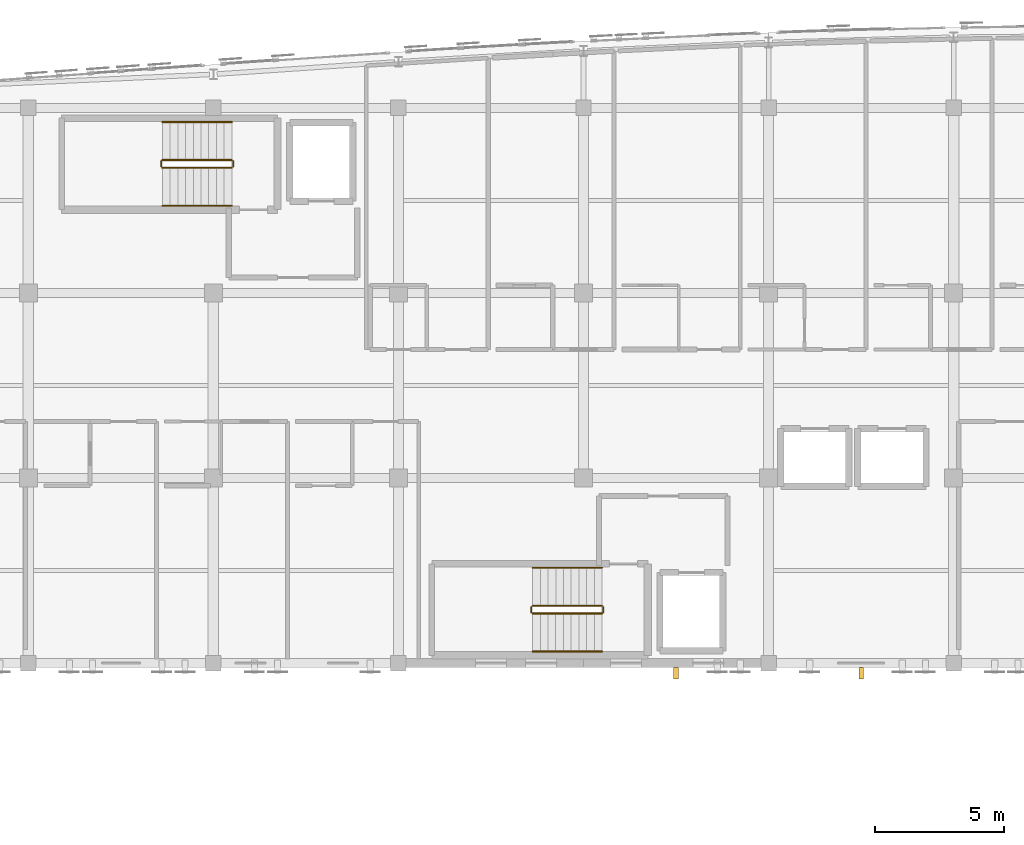
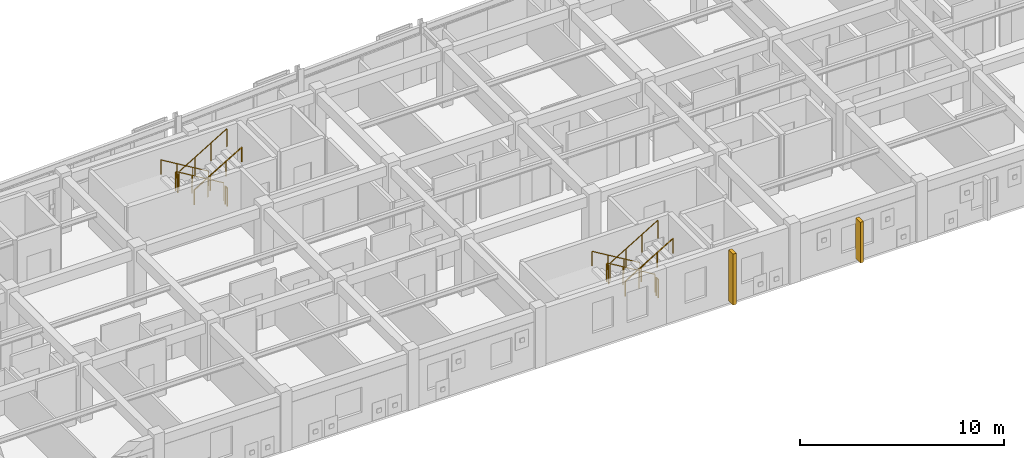
# One storey, part 70 of 73: 12 railings, 2 shading devices.
"""IFC4 building model written with IfcOpenShell, lengths in metres."""

from ifc_helpers import new_model, si_unit, direction, frame, origin, origin_2d, place, context, subcontext, project, spatial, rectangle, circle, extrude, material, layer, layer_set, type_object, element, save


model = new_model("IFC4")

# Units and contexts
model_context = context("Model", 3, precision=1e-05, world=origin(), true_north=direction((0.0, 1.0)))
body_context = subcontext(model_context, "Body", "Model", "MODEL_VIEW")
ifc_project = project(units=[si_unit("LENGTHUNIT", "METRE"), si_unit("AREAUNIT", "SQUARE_METRE"), si_unit("VOLUMEUNIT", "CUBIC_METRE"), si_unit("PLANEANGLEUNIT", "RADIAN"), si_unit("MASSUNIT", "GRAM", prefix="KILO")], contexts=[model_context])

# Site, building, storey
site_placement = place(None, origin())
site = spatial("IfcSite", under=ifc_project, at=site_placement, CompositionType="ELEMENT")
building_placement = place(site_placement, origin())
building = spatial("IfcBuilding", under=site, at=building_placement, Name="Carrowvane Square Congress Hotel", CompositionType="ELEMENT")
storey_placement = place(building_placement, frame((0.0, 0.0, 19.199951171875)))
storey = spatial("IfcBuildingStorey", under=building, at=storey_placement, Name="L04", CompositionType="ELEMENT", Elevation=19.199951171875)

# Railings
ifc_material_1 = material(Name="Stainless steel 316", Category="steel")
ifc_layer_1 = layer(ifc_material_1, 0.048095703125)
ifc_layer_set_1 = layer_set([ifc_layer_1], Name="Stainless steel 316")
railing_type_1 = type_object("IfcRailingType", Name="RLG-HR-900", PredefinedType="HANDRAIL", material=ifc_layer_set_1)
railing_1_placement = place(storey_placement, frame((62.719970703125, 112.85009765625, 0.179931640625)))
element("IfcRailing", 1, at=railing_1_placement, inside=storey, type_object=railing_type_1, Name="L04 ST1 stair handrail 1", PredefinedType="HANDRAIL", context=body_context, shape_type="SweptSolid", body=[
    extrude(circle(Radius=0.02392578125, at=origin_2d()), frame((0.0, 0.0, 0.8759765625), z_axis=(-0.857472400752, 0.0, 0.514529962148), x_axis=(0.0, -1.0, 0.0)), (0.0, 0.0, 1.0), 3.148681640625),
    extrude(circle(Radius=0.02099609375, at=origin_2d()), origin(), (0.0, 0.0, 1.0), 0.851806640625),
    extrude(circle(Radius=0.02099609375, at=origin_2d()), frame((-0.89990234375, 0.0, 0.5400390625)), (0.0, 0.0, 1.0), 0.851806640625),
    extrude(circle(Radius=0.02099609375, at=origin_2d()), frame((-1.800048828125, 0.0, 1.080078125)), (0.0, 0.0, 1.0), 0.851806640625),
    extrude(circle(Radius=0.02099609375, at=origin_2d()), frame((-2.699951171875, 0.0, 1.6201171875)), (0.0, 0.0, 1.0), 0.851806640625),
])
railing_2_placement = place(storey_placement, frame((60.02001953125, 109.590087890625, 1.97998046875)))
element("IfcRailing", 2, at=railing_2_placement, inside=storey, type_object=railing_type_1, Name="L04 ST1 stair handrail 2", PredefinedType="HANDRAIL", context=body_context, shape_type="SweptSolid", body=[
    extrude(circle(Radius=0.02392578125, at=origin_2d()), frame((0.0, 0.0, 0.8759765625), z_axis=(0.857472400752, 0.0, 0.514529962148), x_axis=(0.0, 1.0, 0.0)), (0.0, 0.0, 1.0), 3.148681640625),
    extrude(circle(Radius=0.02099609375, at=origin_2d()), origin(), (0.0, 0.0, 1.0), 0.851806640625),
    extrude(circle(Radius=0.02099609375, at=origin_2d()), frame((0.89990234375, 0.0, 0.5400390625)), (0.0, 0.0, 1.0), 0.851806640625),
    extrude(circle(Radius=0.02099609375, at=origin_2d()), frame((1.800048828125, 0.0, 1.080078125)), (0.0, 0.0, 1.0), 0.851806640625),
    extrude(circle(Radius=0.02099609375, at=origin_2d()), frame((2.699951171875, 0.0, 1.6201171875)), (0.0, 0.0, 1.0), 0.851806640625),
])
railing_3_placement = place(storey_placement, frame((77.1201171875, 95.510009765625, 0.179931640625)))
element("IfcRailing", 3, at=railing_3_placement, inside=storey, type_object=railing_type_1, Name="L04 ST2 stair handrail 1", PredefinedType="HANDRAIL", context=body_context, shape_type="SweptSolid", body=[
    extrude(circle(Radius=0.02392578125, at=origin_2d()), frame((0.0, 0.0, 0.8759765625), z_axis=(-0.857492925713, 0.0, 0.514495755428), x_axis=(0.0, -1.0, 0.0)), (0.0, 0.0, 1.0), 3.14892578125),
    extrude(circle(Radius=0.02099609375, at=origin_2d()), origin(), (0.0, 0.0, 1.0), 0.851806640625),
    extrude(circle(Radius=0.02099609375, at=origin_2d()), frame((-0.900146484375, 0.0, 0.5400390625)), (0.0, 0.0, 1.0), 0.851806640625),
    extrude(circle(Radius=0.02099609375, at=origin_2d()), frame((-1.800048828125, 0.0, 1.080078125)), (0.0, 0.0, 1.0), 0.851806640625),
    extrude(circle(Radius=0.02099609375, at=origin_2d()), frame((-2.7001953125, 0.0, 1.6201171875)), (0.0, 0.0, 1.0), 0.851806640625),
])
railing_4_placement = place(storey_placement, frame((74.419921875, 92.25, 1.97998046875)))
element("IfcRailing", 4, at=railing_4_placement, inside=storey, type_object=railing_type_1, Name="L04 ST2 stair handrail 2", PredefinedType="HANDRAIL", context=body_context, shape_type="SweptSolid", body=[
    extrude(circle(Radius=0.02392578125, at=origin_2d()), frame((0.0, 0.0, 0.8759765625), z_axis=(0.857492925713, 0.0, 0.514495755428), x_axis=(0.0, 1.0, 0.0)), (0.0, 0.0, 1.0), 3.14892578125),
    extrude(circle(Radius=0.02099609375, at=origin_2d()), origin(), (0.0, 0.0, 1.0), 0.851806640625),
    extrude(circle(Radius=0.02099609375, at=origin_2d()), frame((0.900146484375, 0.0, 0.5400390625)), (0.0, 0.0, 1.0), 0.851806640625),
    extrude(circle(Radius=0.02099609375, at=origin_2d()), frame((1.800048828125, 0.0, 1.080078125)), (0.0, 0.0, 1.0), 0.851806640625),
    extrude(circle(Radius=0.02099609375, at=origin_2d()), frame((2.7001953125, 0.0, 1.6201171875)), (0.0, 0.0, 1.0), 0.851806640625),
])
ifc_material_2 = material(Name="Galvanised steel", Category="steel")
ifc_layer_2 = layer(ifc_material_2, 0.048095703125)
ifc_layer_set_2 = layer_set([ifc_layer_2], Name="Galvanised steel")
railing_type_2 = type_object("IfcRailingType", Name="RLG-STG-1100", PredefinedType="GUARDRAIL", material=ifc_layer_set_2)
railing_5_placement = place(storey_placement, frame((62.719970703125, 111.3701171875, 0.179931640625)))
element("IfcRailing", 5, at=railing_5_placement, inside=storey, type_object=railing_type_2, Name="L04 ST1 stair guard 1", PredefinedType="GUARDRAIL", context=body_context, shape_type="SweptSolid", body=[
    extrude(circle(Radius=0.02392578125, at=origin_2d()), frame((0.0, 0.0, 1.076171875), z_axis=(-0.857472400752, 0.0, 0.514529962148), x_axis=(0.0, -1.0, 0.0)), (0.0, 0.0, 1.0), 3.148681640625),
    extrude(circle(Radius=0.02099609375, at=origin_2d()), origin(), (0.0, 0.0, 1.0), 1.052001953125),
    extrude(circle(Radius=0.02099609375, at=origin_2d()), frame((-0.89990234375, 0.0, 0.5400390625)), (0.0, 0.0, 1.0), 1.052001953125),
    extrude(circle(Radius=0.02099609375, at=origin_2d()), frame((-1.800048828125, 0.0, 1.080078125)), (0.0, 0.0, 1.0), 1.052001953125),
    extrude(circle(Radius=0.02099609375, at=origin_2d()), frame((-2.699951171875, 0.0, 1.6201171875)), (0.0, 0.0, 1.0), 1.052001953125),
])
railing_6_placement = place(storey_placement, frame((59.969970703125, 111.320068359375, 1.800048828125)))
element("IfcRailing", 6, at=railing_6_placement, inside=storey, type_object=railing_type_2, Name="L04 ST1 stair guard 2", PredefinedType="GUARDRAIL", context=body_context, shape_type="SweptSolid", body=[
    extrude(circle(Radius=0.02392578125, at=origin_2d()), frame((0.0, 0.0, 1.076171875), z_axis=(0.0, -1.0, 0.0), x_axis=(1.0, 0.0, 0.0)), (0.0, 0.0, 1.0), 0.199951171875),
    extrude(circle(Radius=0.02099609375, at=origin_2d()), origin(), (0.0, 0.0, 1.0), 1.052001953125),
    extrude(circle(Radius=0.02099609375, at=origin_2d()), frame((0.0, -0.199951171875, 0.0)), (0.0, 0.0, 1.0), 1.052001953125),
])
railing_7_placement = place(storey_placement, frame((60.02001953125, 111.070068359375, 1.97998046875)))
element("IfcRailing", 7, at=railing_7_placement, inside=storey, type_object=railing_type_2, Name="L04 ST1 stair guard 3", PredefinedType="GUARDRAIL", context=body_context, shape_type="SweptSolid", body=[
    extrude(circle(Radius=0.02392578125, at=origin_2d()), frame((0.0, 0.0, 1.076171875), z_axis=(0.857472400752, 0.0, 0.514529962148), x_axis=(0.0, 1.0, 0.0)), (0.0, 0.0, 1.0), 3.148681640625),
    extrude(circle(Radius=0.02099609375, at=origin_2d()), origin(), (0.0, 0.0, 1.0), 1.052001953125),
    extrude(circle(Radius=0.02099609375, at=origin_2d()), frame((0.89990234375, 0.0, 0.5400390625)), (0.0, 0.0, 1.0), 1.052001953125),
    extrude(circle(Radius=0.02099609375, at=origin_2d()), frame((1.800048828125, 0.0, 1.080078125)), (0.0, 0.0, 1.0), 1.052001953125),
    extrude(circle(Radius=0.02099609375, at=origin_2d()), frame((2.699951171875, 0.0, 1.6201171875)), (0.0, 0.0, 1.0), 1.052001953125),
])
railing_8_placement = place(storey_placement, frame((62.77001953125, 111.320068359375, 0.0)))
element("IfcRailing", 8, at=railing_8_placement, inside=storey, type_object=railing_type_2, Name="L04 ST1 stair guard 4", PredefinedType="GUARDRAIL", context=body_context, shape_type="SweptSolid", body=[
    extrude(circle(Radius=0.02392578125, at=origin_2d()), frame((0.0, 0.0, 1.076171875), z_axis=(0.0, -1.0, 0.0), x_axis=(1.0, 0.0, 0.0)), (0.0, 0.0, 1.0), 0.199951171875),
    extrude(circle(Radius=0.02099609375, at=origin_2d()), origin(), (0.0, 0.0, 1.0), 1.052001953125),
    extrude(circle(Radius=0.02099609375, at=origin_2d()), frame((0.0, -0.199951171875, 0.0)), (0.0, 0.0, 1.0), 1.052001953125),
])
railing_9_placement = place(storey_placement, frame((77.1201171875, 94.030029296875, 0.179931640625)))
element("IfcRailing", 9, at=railing_9_placement, inside=storey, type_object=railing_type_2, Name="L04 ST2 stair guard 1", PredefinedType="GUARDRAIL", context=body_context, shape_type="SweptSolid", body=[
    extrude(circle(Radius=0.02392578125, at=origin_2d()), frame((0.0, 0.0, 1.076171875), z_axis=(-0.857492925713, 0.0, 0.514495755428), x_axis=(0.0, -1.0, 0.0)), (0.0, 0.0, 1.0), 3.14892578125),
    extrude(circle(Radius=0.02099609375, at=origin_2d()), origin(), (0.0, 0.0, 1.0), 1.052001953125),
    extrude(circle(Radius=0.02099609375, at=origin_2d()), frame((-0.900146484375, 0.0, 0.5400390625)), (0.0, 0.0, 1.0), 1.052001953125),
    extrude(circle(Radius=0.02099609375, at=origin_2d()), frame((-1.800048828125, 0.0, 1.080078125)), (0.0, 0.0, 1.0), 1.052001953125),
    extrude(circle(Radius=0.02099609375, at=origin_2d()), frame((-2.7001953125, 0.0, 1.6201171875)), (0.0, 0.0, 1.0), 1.052001953125),
])
railing_10_placement = place(storey_placement, frame((74.3701171875, 93.97998046875, 1.800048828125)))
element("IfcRailing", 10, at=railing_10_placement, inside=storey, type_object=railing_type_2, Name="L04 ST2 stair guard 2", PredefinedType="GUARDRAIL", context=body_context, shape_type="SweptSolid", body=[
    extrude(circle(Radius=0.02392578125, at=origin_2d()), frame((0.0, 0.0, 1.076171875), z_axis=(0.0, -1.0, 0.0), x_axis=(1.0, 0.0, 0.0)), (0.0, 0.0, 1.0), 0.199951171875),
    extrude(circle(Radius=0.02099609375, at=origin_2d()), origin(), (0.0, 0.0, 1.0), 1.052001953125),
    extrude(circle(Radius=0.02099609375, at=origin_2d()), frame((0.0, -0.199951171875, 0.0)), (0.0, 0.0, 1.0), 1.052001953125),
])
railing_11_placement = place(storey_placement, frame((74.419921875, 93.72998046875, 1.97998046875)))
element("IfcRailing", 11, at=railing_11_placement, inside=storey, type_object=railing_type_2, Name="L04 ST2 stair guard 3", PredefinedType="GUARDRAIL", context=body_context, shape_type="SweptSolid", body=[
    extrude(circle(Radius=0.02392578125, at=origin_2d()), frame((0.0, 0.0, 1.076171875), z_axis=(0.857492925713, 0.0, 0.514495755428), x_axis=(0.0, 1.0, 0.0)), (0.0, 0.0, 1.0), 3.14892578125),
    extrude(circle(Radius=0.02099609375, at=origin_2d()), origin(), (0.0, 0.0, 1.0), 1.052001953125),
    extrude(circle(Radius=0.02099609375, at=origin_2d()), frame((0.900146484375, 0.0, 0.5400390625)), (0.0, 0.0, 1.0), 1.052001953125),
    extrude(circle(Radius=0.02099609375, at=origin_2d()), frame((1.800048828125, 0.0, 1.080078125)), (0.0, 0.0, 1.0), 1.052001953125),
    extrude(circle(Radius=0.02099609375, at=origin_2d()), frame((2.7001953125, 0.0, 1.6201171875)), (0.0, 0.0, 1.0), 1.052001953125),
])
railing_12_placement = place(storey_placement, frame((77.169921875, 93.97998046875, 0.0)))
element("IfcRailing", 12, at=railing_12_placement, inside=storey, type_object=railing_type_2, Name="L04 ST2 stair guard 4", PredefinedType="GUARDRAIL", context=body_context, shape_type="SweptSolid", body=[
    extrude(circle(Radius=0.02392578125, at=origin_2d()), frame((0.0, 0.0, 1.076171875), z_axis=(0.0, -1.0, 0.0), x_axis=(1.0, 0.0, 0.0)), (0.0, 0.0, 1.0), 0.199951171875),
    extrude(circle(Radius=0.02099609375, at=origin_2d()), origin(), (0.0, 0.0, 1.0), 1.052001953125),
    extrude(circle(Radius=0.02099609375, at=origin_2d()), frame((0.0, -0.199951171875, 0.0)), (0.0, 0.0, 1.0), 1.052001953125),
])

# Shading devices
ifc_material_3 = material(Name="Portland limestone cladding", Category="masonry")
shading_device_type = type_object("IfcShadingDeviceType", Name="SHD-FIN-LS", PredefinedType="USERDEFINED", material=ifc_material_3)
shading_device_1_placement = place(storey_placement, frame((87.199951171875, 91.409912109375, 0.14990234375), z_axis=(0.0, 0.0, 1.0), x_axis=(-1.0, 0.0, 0.0)))
element("IfcShadingDevice", 13, at=shading_device_1_placement, inside=storey, type_object=shading_device_type, Name="Limestone brise-soleil fin 35", ObjectType="FIN", PredefinedType="USERDEFINED", context=body_context, shape_type="SweptSolid", body=[
    extrude(rectangle(XDim=0.179931640625, YDim=0.449951171875, at=origin_2d()), origin(), (0.0, 0.0, 1.0), 2.43505859375),
])
shading_device_2_placement = place(storey_placement, frame((80.0, 91.409912109375, 0.14990234375), z_axis=(0.0, 0.0, 1.0), x_axis=(-1.0, 0.0, 0.0)))
element("IfcShadingDevice", 14, at=shading_device_2_placement, inside=storey, type_object=shading_device_type, Name="Limestone brise-soleil fin 36", ObjectType="FIN", PredefinedType="USERDEFINED", context=body_context, shape_type="SweptSolid", body=[
    extrude(rectangle(XDim=0.179931640625, YDim=0.449951171875, at=origin_2d()), origin(), (0.0, 0.0, 1.0), 3.050048828125),
])

save(model, "model.ifc")
